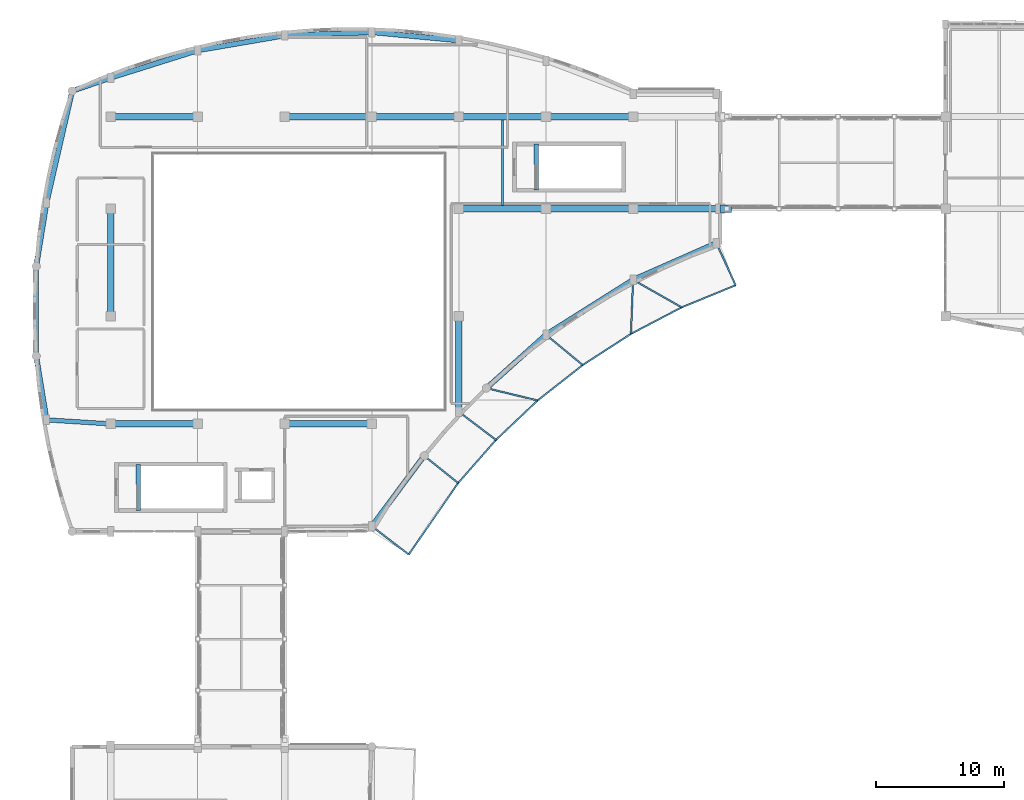
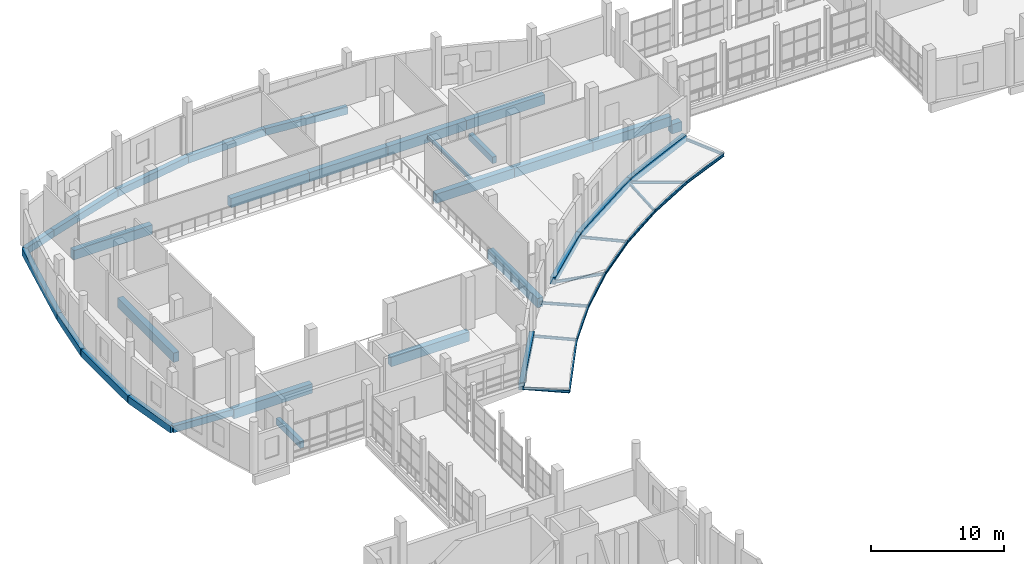
# One storey, part 28 of 106: 45 beams.
"""IFC4 building model written with IfcOpenShell, lengths in metres."""

from ifc_helpers import new_model, si_unit, direction, frame, origin, origin_2d, place, context, subcontext, project, spatial, rectangle, i_section, extrude, material, material_profile, profile_set, type_object, element, save


model = new_model("IFC4")

# Units and contexts
model_context = context("Model", 3, precision=1e-05, world=origin(), true_north=direction((0.0, 1.0)))
body_context = subcontext(model_context, "Body", "Model", "MODEL_VIEW")
ifc_project = project(units=[si_unit("LENGTHUNIT", "METRE"), si_unit("AREAUNIT", "SQUARE_METRE"), si_unit("VOLUMEUNIT", "CUBIC_METRE"), si_unit("PLANEANGLEUNIT", "RADIAN"), si_unit("MASSUNIT", "GRAM", prefix="KILO")], contexts=[model_context])

# Site, building, storey
site_placement = place(None, origin())
site = spatial("IfcSite", under=ifc_project, at=site_placement, CompositionType="ELEMENT")
building_placement = place(site_placement, origin())
building = spatial("IfcBuilding", under=site, at=building_placement, Name="Kisaragi Civic Commons", CompositionType="ELEMENT")
storey_placement = place(building_placement, frame((0.0, 0.0, 4.800048828125)))
storey = spatial("IfcBuildingStorey", under=building, at=storey_placement, Name="L01", CompositionType="ELEMENT", Elevation=4.800048828125)

# Beams
ifc_material_1 = material(Name="Concrete Fc36", Category="concrete")
ifc_material_profile_1 = material_profile(ifc_material_1, rectangle(XDim=0.550048828125, YDim=0.85009765625, at=origin_2d()), Name="RC-550x850", Category="concrete")
ifc_profile_set_1 = profile_set([ifc_material_profile_1], Name="Concrete Fc36")
beam_type_1 = type_object("IfcBeamType", Name="CB-01", PredefinedType="BEAM", material=ifc_profile_set_1)
beam_1_placement = place(storey_placement, frame((54.39990234375, 104.39990234375, -1.4951171875), z_axis=(1.0, 0.0, 0.0), x_axis=(0.0, 1.0, 0.0)))
element("IfcBeam", 1, at=beam_1_placement, inside=storey, type_object=beam_type_1, Name="BR-V4-V2 L01 seismic corbel 20", PredefinedType="BEAM", context=body_context, shape_type="SweptSolid", body=[
    extrude(rectangle(XDim=0.550048828125, YDim=0.85009765625, at=origin_2d()), origin(), (0.0, 0.0, 1.0), 0.8701171875),
])
ifc_material_2 = material(Name="Concrete Fc30", Category="concrete")
ifc_material_profile_2 = material_profile(ifc_material_2, rectangle(XDim=0.5, YDim=0.85009765625, at=origin_2d()), Name="RC-500x850", Category="concrete")
ifc_profile_set_2 = profile_set([ifc_material_profile_2], Name="Concrete Fc30")
beam_type_2 = type_object("IfcBeamType", Name="G-02", PredefinedType="BEAM", material=ifc_profile_set_2)
for number, where, z_axis, x_axis, name in (
    (2, (6.800048828125, 87.60009765625, -0.72998046875), (1.0, 0.0, 0.0), (0.0, 1.0, 0.0), "L01 girder G-02 173"),
    (3, (20.39990234375, 87.60009765625, -0.72998046875), (1.0, 0.0, 0.0), (0.0, 1.0, 0.0), "L01 girder G-02 174"),
    (4, (34.0, 104.39990234375, -0.72998046875), (1.0, 0.0, 0.0), (0.0, 1.0, 0.0), "L01 girder G-02 175"),
    (5, (40.800048828125, 104.39990234375, -0.72998046875), (1.0, 0.0, 0.0), (0.0, 1.0, 0.0), "L01 girder G-02 176"),
):
    element("IfcBeam", number, at=place(storey_placement, frame(where, z_axis=z_axis, x_axis=x_axis)), inside=storey, type_object=beam_type_2, Name=name, PredefinedType="BEAM", context=body_context, shape_type="SweptSolid", body=[
        extrude(rectangle(XDim=0.5, YDim=0.85009765625, at=origin_2d()), origin(), (0.0, 0.0, 1.0), 6.800048828125),
    ])
beam_2_placement = place(storey_placement, frame((47.60009765625, 104.39990234375, -0.72998046875), z_axis=(1.0, 0.0, 0.0), x_axis=(0.0, 1.0, 0.0)))
element("IfcBeam", 6, at=beam_2_placement, inside=storey, type_object=beam_type_2, Name="L01 girder G-02 177", PredefinedType="BEAM", context=body_context, shape_type="SweptSolid", body=[
    extrude(rectangle(XDim=0.5, YDim=0.85009765625, at=origin_2d()), origin(), (0.0, 0.0, 1.0), 6.7998046875),
])
for number, where, z_axis, x_axis, name in (
    (7, (6.800048828125, 111.60009765625, -0.72998046875), (1.0, 0.0, 0.0), (0.0, 1.0, 0.0), "L01 girder G-02 178"),
    (8, (20.39990234375, 111.60009765625, -0.72998046875), (1.0, 0.0, 0.0), (0.0, 1.0, 0.0), "L01 girder G-02 179"),
    (9, (27.199951171875, 111.60009765625, -0.72998046875), (1.0, 0.0, 0.0), (0.0, 1.0, 0.0), "L01 girder G-02 180"),
    (10, (34.0, 111.60009765625, -0.72998046875), (1.0, 0.0, 0.0), (0.0, 1.0, 0.0), "L01 girder G-02 181"),
    (11, (40.800048828125, 111.60009765625, -0.72998046875), (1.0, 0.0, 0.0), (0.0, 1.0, 0.0), "L01 girder G-02 182"),
):
    element("IfcBeam", number, at=place(storey_placement, frame(where, z_axis=z_axis, x_axis=x_axis)), inside=storey, type_object=beam_type_2, Name=name, PredefinedType="BEAM", context=body_context, shape_type="SweptSolid", body=[
        extrude(rectangle(XDim=0.5, YDim=0.85009765625, at=origin_2d()), origin(), (0.0, 0.0, 1.0), 6.800048828125),
    ])
beam_3_placement = place(storey_placement, frame((6.800048828125, 96.0, -0.72998046875), z_axis=(0.0, 1.0, 0.0), x_axis=(-1.0, 0.0, 0.0)))
element("IfcBeam", 12, at=beam_3_placement, inside=storey, type_object=beam_type_2, Name="L01 girder G-02 185", PredefinedType="BEAM", context=body_context, shape_type="SweptSolid", body=[
    extrude(rectangle(XDim=0.5, YDim=0.85009765625, at=origin_2d()), origin(), (0.0, 0.0, 1.0), 8.39990234375),
])
beam_4_placement = place(storey_placement, frame((34.0, 88.544189453125, -0.72998046875), z_axis=(0.0, 1.0, 0.0), x_axis=(-1.0, 0.0, 0.0)))
element("IfcBeam", 13, at=beam_4_placement, inside=storey, type_object=beam_type_2, Name="L01 girder G-02 186", PredefinedType="BEAM", context=body_context, shape_type="SweptSolid", body=[
    extrude(rectangle(XDim=0.5, YDim=0.85009765625, at=origin_2d()), origin(), (0.0, 0.0, 1.0), 7.455810546875),
])
ifc_material_profile_3 = material_profile(ifc_material_2, rectangle(XDim=0.35009765625, YDim=0.60009765625, at=origin_2d()), Name="RC-350x600", Category="concrete")
ifc_profile_set_3 = profile_set([ifc_material_profile_3], Name="Concrete Fc30")
beam_type_3 = type_object("IfcBeamType", Name="G-14", PredefinedType="BEAM", material=ifc_profile_set_3)
beam_5_placement = place(storey_placement, frame((1.800048828125, 87.916259765625, -0.60498046875), z_axis=(0.998006805525, -0.063106387361, 0.0), x_axis=(0.063106387361, 0.998006805525, 0.0)))
element("IfcBeam", 14, at=beam_5_placement, inside=storey, type_object=beam_type_3, Name="L01 curved wall tie beam 195", PredefinedType="BEAM", context=body_context, shape_type="SweptSolid", body=[
    extrude(rectangle(XDim=0.35009765625, YDim=0.60009765625, at=origin_2d()), origin(), (0.0, 0.0, 1.0), 5.010009765625),
])
for number, where, z_axis, x_axis, name in (
    (15, (8.949951171875, 80.85009765625, -0.300048828125), (0.0, 1.0, 0.0), (-1.0, 0.0, 0.0), "ST-S1 L01 stair landing trimmer beam"),
    (16, (40.050048828125, 105.85009765625, -0.300048828125), (0.0, 1.0, 0.0), (-1.0, 0.0, 0.0), "ST-S2 L01 stair landing trimmer beam"),
):
    element("IfcBeam", number, at=place(storey_placement, frame(where, z_axis=z_axis, x_axis=x_axis)), inside=storey, type_object=beam_type_3, Name=name, PredefinedType="BEAM", context=body_context, shape_type="SweptSolid", body=[
        extrude(rectangle(XDim=0.35009765625, YDim=0.60009765625, at=origin_2d()), origin(), (0.0, 0.0, 1.0), 3.599853515625),
    ])
ifc_material_3 = material(Name="Steel SN400 (SN400B)", Category="steel")
ifc_material_profile_4 = material_profile(ifc_material_3, i_section(OverallWidth=0.175048828125, OverallDepth=0.35009765625, WebThickness=0.007080078125, FlangeThickness=0.010986328125, FilletRadius=0.012939453125, at=origin_2d()), Name="H-350x175x7x11", Category="steel")
ifc_profile_set_4 = profile_set([ifc_material_profile_4], Name="Steel SN400 (SN400B)")
beam_type_4 = type_object("IfcBeamType", Name="J-02", PredefinedType="JOIST", material=ifc_profile_set_4)
beam_6_placement = place(storey_placement, frame((37.39990234375, 104.64990234375, -0.47998046875), z_axis=(0.0, 1.0, 0.0), x_axis=(-1.0, 0.0, 0.0)))
element("IfcBeam", 17, at=beam_6_placement, inside=storey, type_object=beam_type_4, Name="L01 secondary steel joist J-02 41", PredefinedType="JOIST", context=body_context, shape_type="SweptSolid", body=[
    extrude(i_section(OverallWidth=0.175048828125, OverallDepth=0.35009765625, WebThickness=0.007080078125, FlangeThickness=0.010986328125, FilletRadius=0.012939453125, at=origin_2d()), origin(), (0.0, 0.0, 1.0), 6.7001953125),
])
ifc_material_profile_5 = material_profile(ifc_material_3, i_section(OverallWidth=0.125, OverallDepth=0.25, WebThickness=0.006103515625, FlangeThickness=0.009033203125, FilletRadius=0.008056640625, at=origin_2d()), Name="H-250x125x6x9", Category="steel")
ifc_profile_set_5 = profile_set([ifc_material_profile_5], Name="Steel SN400 (SN400B)")
beam_type_5 = type_object("IfcBeamType", Name="J-05", PredefinedType="JOIST", material=ifc_profile_set_5)
beam_7_placement = place(storey_placement, frame((55.617919921875, 98.425537109375, -0.75), z_axis=(-0.925377864277, -0.379045918465, 0.0), x_axis=(0.379045918465, -0.925377864277, 0.0)))
element("IfcBeam", 18, at=beam_7_placement, inside=storey, type_object=beam_type_5, Name="VER-V2 L01 edge beam 62", PredefinedType="JOIST", context=body_context, shape_type="SweptSolid", body=[
    extrude(i_section(OverallWidth=0.125, OverallDepth=0.25, WebThickness=0.006103515625, FlangeThickness=0.009033203125, FilletRadius=0.008056640625, at=origin_2d()), origin(), (0.0, 0.0, 1.0), 4.556396484375),
])
beam_8_placement = place(storey_placement, frame((51.401611328125, 96.698486328125, -0.75), z_axis=(-0.886292072289, -0.463126724125, 0.0), x_axis=(0.463126724125, -0.886292072289, 0.0)))
element("IfcBeam", 19, at=beam_8_placement, inside=storey, type_object=beam_type_5, Name="VER-V2 L01 edge beam 63", PredefinedType="JOIST", context=body_context, shape_type="SweptSolid", body=[
    extrude(i_section(OverallWidth=0.125, OverallDepth=0.25, WebThickness=0.006103515625, FlangeThickness=0.009033203125, FilletRadius=0.008056640625, at=origin_2d()), origin(), (0.0, 0.0, 1.0), 4.478271484375),
])
for number, where, z_axis, x_axis, name in (
    (20, (47.4326171875, 94.62451171875, -0.75), (-0.83990787483, -0.542728994803, 0.0), (0.542728994803, -0.83990787483, 0.0), "VER-V2 L01 edge beam 64"),
    (21, (43.67138671875, 92.194091796875, -0.75), (-0.786375089797, -0.61774931659, 0.0), (0.61774931659, -0.786375089797, 0.0), "VER-V2 L01 edge beam 65"),
):
    element("IfcBeam", number, at=place(storey_placement, frame(where, z_axis=z_axis, x_axis=x_axis)), inside=storey, type_object=beam_type_5, Name=name, PredefinedType="JOIST", context=body_context, shape_type="SweptSolid", body=[
        extrude(i_section(OverallWidth=0.125, OverallDepth=0.25, WebThickness=0.006103515625, FlangeThickness=0.009033203125, FilletRadius=0.008056640625, at=origin_2d()), origin(), (0.0, 0.0, 1.0), 4.47802734375),
    ])
beam_9_placement = place(storey_placement, frame((40.14990234375, 89.427734375, -0.75), z_axis=(-0.726170414707, -0.687514748063, 0.0), x_axis=(0.687514748063, -0.726170414707, 0.0)))
element("IfcBeam", 22, at=beam_9_placement, inside=storey, type_object=beam_type_5, Name="VER-V2 L01 edge beam 66", PredefinedType="JOIST", context=body_context, shape_type="SweptSolid", body=[
    extrude(i_section(OverallWidth=0.125, OverallDepth=0.25, WebThickness=0.006103515625, FlangeThickness=0.009033203125, FilletRadius=0.008056640625, at=origin_2d()), origin(), (0.0, 0.0, 1.0), 4.477783203125),
])
beam_10_placement = place(storey_placement, frame((36.898193359375, 86.34912109375, -0.75), z_axis=(-0.659769637877, -0.751467913444, 0.0), x_axis=(0.751467913444, -0.659769637877, 0.0)))
element("IfcBeam", 23, at=beam_10_placement, inside=storey, type_object=beam_type_5, Name="VER-V2 L01 edge beam 67", PredefinedType="JOIST", context=body_context, shape_type="SweptSolid", body=[
    extrude(i_section(OverallWidth=0.125, OverallDepth=0.25, WebThickness=0.006103515625, FlangeThickness=0.009033203125, FilletRadius=0.008056640625, at=origin_2d()), origin(), (0.0, 0.0, 1.0), 4.478271484375),
])
beam_11_placement = place(storey_placement, frame((33.943603515625, 82.98388671875, -0.75), z_axis=(-0.56851635681, -0.822671958948, 0.0), x_axis=(0.822671958948, -0.56851635681, 0.0)))
element("IfcBeam", 24, at=beam_11_placement, inside=storey, type_object=beam_type_5, Name="VER-V2 L01 edge beam 68", PredefinedType="JOIST", context=body_context, shape_type="SweptSolid", body=[
    extrude(i_section(OverallWidth=0.125, OverallDepth=0.25, WebThickness=0.006103515625, FlangeThickness=0.009033203125, FilletRadius=0.008056640625, at=origin_2d()), origin(), (0.0, 0.0, 1.0), 6.79248046875),
])
beam_12_placement = place(storey_placement, frame((55.617919921875, 98.425537109375, -0.75), z_axis=(-0.418396568397, 0.908264450231, 0.0), x_axis=(-0.908264450231, -0.418396568397, 0.0)))
element("IfcBeam", 25, at=beam_12_placement, inside=storey, type_object=beam_type_5, Name="VER-V2 L01 radial tie 69", PredefinedType="JOIST", context=body_context, shape_type="SweptSolid", body=[
    extrude(i_section(OverallWidth=0.125, OverallDepth=0.25, WebThickness=0.006103515625, FlangeThickness=0.009033203125, FilletRadius=0.008056640625, at=origin_2d()), origin(), (0.0, 0.0, 1.0), 3.627685546875),
])
beam_13_placement = place(storey_placement, frame((51.401611328125, 96.698486328125, -0.75), z_axis=(-0.870155587198, 0.492777083547, 0.0), x_axis=(-0.492777083547, -0.870155587198, 0.0)))
element("IfcBeam", 26, at=beam_13_placement, inside=storey, type_object=beam_type_5, Name="VER-V2 L01 radial tie 70", PredefinedType="JOIST", context=body_context, shape_type="SweptSolid", body=[
    extrude(i_section(OverallWidth=0.125, OverallDepth=0.25, WebThickness=0.006103515625, FlangeThickness=0.009033203125, FilletRadius=0.008056640625, at=origin_2d()), origin(), (0.0, 0.0, 1.0), 4.368896484375),
])
beam_14_placement = place(storey_placement, frame((47.4326171875, 94.62451171875, -0.75), z_axis=(0.039592336303, 0.999215916059, 0.0), x_axis=(-0.999215916059, 0.039592336303, 0.0)))
element("IfcBeam", 27, at=beam_14_placement, inside=storey, type_object=beam_type_5, Name="VER-V2 L01 radial tie 71", PredefinedType="JOIST", context=body_context, shape_type="SweptSolid", body=[
    extrude(i_section(OverallWidth=0.125, OverallDepth=0.25, WebThickness=0.006103515625, FlangeThickness=0.009033203125, FilletRadius=0.008056640625, at=origin_2d()), origin(), (0.0, 0.0, 1.0), 4.230224609375),
])
beam_15_placement = place(storey_placement, frame((43.67138671875, 92.194091796875, -0.75), z_axis=(-0.771077909259, 0.636740809006, 0.0), x_axis=(-0.636740809006, -0.771077909259, 0.0)))
element("IfcBeam", 28, at=beam_15_placement, inside=storey, type_object=beam_type_5, Name="VER-V2 L01 radial tie 72", PredefinedType="JOIST", context=body_context, shape_type="SweptSolid", body=[
    extrude(i_section(OverallWidth=0.125, OverallDepth=0.25, WebThickness=0.006103515625, FlangeThickness=0.009033203125, FilletRadius=0.008056640625, at=origin_2d()), origin(), (0.0, 0.0, 1.0), 3.723876953125),
])
beam_16_placement = place(storey_placement, frame((40.14990234375, 89.427734375, -0.75), z_axis=(-0.971981302183, 0.235058180472, 0.0), x_axis=(-0.235058180472, -0.971981302183, 0.0)))
element("IfcBeam", 29, at=beam_16_placement, inside=storey, type_object=beam_type_5, Name="VER-V2 L01 radial tie 73", PredefinedType="JOIST", context=body_context, shape_type="SweptSolid", body=[
    extrude(i_section(OverallWidth=0.125, OverallDepth=0.25, WebThickness=0.006103515625, FlangeThickness=0.009033203125, FilletRadius=0.008056640625, at=origin_2d()), origin(), (0.0, 0.0, 1.0), 4.114013671875),
])
beam_17_placement = place(storey_placement, frame((36.898193359375, 86.34912109375, -0.75), z_axis=(-0.797162664184, 0.603764595542, 0.0), x_axis=(-0.603764595542, -0.797162664184, 0.0)))
element("IfcBeam", 30, at=beam_17_placement, inside=storey, type_object=beam_type_5, Name="VER-V2 L01 radial tie 74", PredefinedType="JOIST", context=body_context, shape_type="SweptSolid", body=[
    extrude(i_section(OverallWidth=0.125, OverallDepth=0.25, WebThickness=0.006103515625, FlangeThickness=0.009033203125, FilletRadius=0.008056640625, at=origin_2d()), origin(), (0.0, 0.0, 1.0), 3.6357421875),
])
beam_18_placement = place(storey_placement, frame((33.943603515625, 82.98388671875, -0.75), z_axis=(-0.780994885585, 0.624537419768, 0.0), x_axis=(-0.624537419768, -0.780994885585, 0.0)))
element("IfcBeam", 31, at=beam_18_placement, inside=storey, type_object=beam_type_5, Name="VER-V2 L01 radial tie 75", PredefinedType="JOIST", context=body_context, shape_type="SweptSolid", body=[
    extrude(i_section(OverallWidth=0.125, OverallDepth=0.25, WebThickness=0.006103515625, FlangeThickness=0.009033203125, FilletRadius=0.008056640625, at=origin_2d()), origin(), (0.0, 0.0, 1.0), 3.400146484375),
])
beam_19_placement = place(storey_placement, frame((30.08203125, 77.39599609375, -0.75), z_axis=(-0.792421819089, 0.609973491746, 0.0), x_axis=(-0.609973491746, -0.792421819089, 0.0)))
element("IfcBeam", 32, at=beam_19_placement, inside=storey, type_object=beam_type_5, Name="VER-V2 L01 radial tie 76", PredefinedType="JOIST", context=body_context, shape_type="SweptSolid", body=[
    extrude(i_section(OverallWidth=0.125, OverallDepth=0.25, WebThickness=0.006103515625, FlangeThickness=0.009033203125, FilletRadius=0.008056640625, at=origin_2d()), origin(), (0.0, 0.0, 1.0), 3.636962890625),
])
ifc_material_profile_6 = material_profile(ifc_material_2, rectangle(XDim=0.39990234375, YDim=0.64990234375, at=origin_2d()), Name="RC-400x650", Category="concrete")
ifc_profile_set_6 = profile_set([ifc_material_profile_6], Name="Concrete Fc30")
beam_type_6 = type_object("IfcBeamType", Name="SPB-02", PredefinedType="SPANDREL", material=ifc_profile_set_6)
beam_20_placement = place(storey_placement, frame((54.10009765625, 101.720458984375, -0.630126953125), z_axis=(-0.914840154072, -0.403816161758, 0.0), x_axis=(0.403816161758, -0.914840154072, 0.0)))
element("IfcBeam", 33, at=beam_20_placement, inside=storey, type_object=beam_type_6, Name="L01 curved spandrel/ring girder SPB-02 187", PredefinedType="SPANDREL", context=body_context, shape_type="SweptSolid", body=[
    extrude(rectangle(XDim=0.39990234375, YDim=0.64990234375, at=origin_2d()), origin(), (0.0, 0.0, 1.0), 7.10498046875),
])
beam_21_placement = place(storey_placement, frame((47.60009765625, 98.851318359375, -0.630126953125), z_axis=(-0.845973556766, -0.533224850558, 0.0), x_axis=(0.533224850558, -0.845973556766, 0.0)))
element("IfcBeam", 34, at=beam_21_placement, inside=storey, type_object=beam_type_6, Name="L01 curved spandrel/ring girder SPB-02 188", PredefinedType="SPANDREL", context=body_context, shape_type="SweptSolid", body=[
    extrude(rectangle(XDim=0.39990234375, YDim=0.64990234375, at=origin_2d()), origin(), (0.0, 0.0, 1.0), 8.0380859375),
])
beam_22_placement = place(storey_placement, frame((40.800048828125, 94.565185546875, -0.630126953125), z_axis=(-0.744377792702, -0.667758715205, 0.0), x_axis=(0.667758715205, -0.744377792702, 0.0)))
element("IfcBeam", 35, at=beam_22_placement, inside=storey, type_object=beam_type_6, Name="L01 curved spandrel/ring girder SPB-02 189", PredefinedType="SPANDREL", context=body_context, shape_type="SweptSolid", body=[
    extrude(rectangle(XDim=0.39990234375, YDim=0.64990234375, at=origin_2d()), origin(), (0.0, 0.0, 1.0), 6.245361328125),
])
beam_23_placement = place(storey_placement, frame((31.2880859375, 85.107421875, -0.630126953125), z_axis=(-0.597046523223, -0.802206612481, 0.0), x_axis=(0.802206612481, -0.597046523223, 0.0)))
element("IfcBeam", 36, at=beam_23_placement, inside=storey, type_object=beam_type_6, Name="L01 curved spandrel/ring girder SPB-02 190", PredefinedType="SPANDREL", context=body_context, shape_type="SweptSolid", body=[
    extrude(rectangle(XDim=0.39990234375, YDim=0.64990234375, at=origin_2d()), origin(), (0.0, 0.0, 1.0), 6.84716796875),
])
beam_24_placement = place(storey_placement, frame((3.800048828125, 113.60009765625, -0.630126953125), z_axis=(-0.223643093075, -0.974671107051, 0.0), x_axis=(0.974671107051, -0.223643093075, 0.0)))
element("IfcBeam", 37, at=beam_24_placement, inside=storey, type_object=beam_type_6, Name="L01 curved spandrel/ring girder SPB-02 191", PredefinedType="SPANDREL", context=body_context, shape_type="SweptSolid", body=[
    extrude(rectangle(XDim=0.39990234375, YDim=0.64990234375, at=origin_2d()), origin(), (0.0, 0.0, 1.0), 8.94287109375),
])
beam_25_placement = place(storey_placement, frame((1.800048828125, 104.8837890625, -0.630126953125), z_axis=(-0.160301786895, -0.987068050906, 0.0), x_axis=(0.987068050906, -0.160301786895, 0.0)))
element("IfcBeam", 38, at=beam_25_placement, inside=storey, type_object=beam_type_6, Name="L01 curved spandrel/ring girder SPB-02 192", PredefinedType="SPANDREL", context=body_context, shape_type="SweptSolid", body=[
    extrude(rectangle(XDim=0.39990234375, YDim=0.64990234375, at=origin_2d()), origin(), (0.0, 0.0, 1.0), 5.045654296875),
])
beam_26_placement = place(storey_placement, frame((0.9912109375, 99.9033203125, -0.630126953125), z_axis=(0.0, -1.0, 0.0), x_axis=(1.0, 0.0, 0.0)))
element("IfcBeam", 39, at=beam_26_placement, inside=storey, type_object=beam_type_6, Name="L01 curved spandrel/ring girder SPB-02 193", PredefinedType="SPANDREL", context=body_context, shape_type="SweptSolid", body=[
    extrude(rectangle(XDim=0.39990234375, YDim=0.64990234375, at=origin_2d()), origin(), (0.0, 0.0, 1.0), 7.0068359375),
])
beam_27_placement = place(storey_placement, frame((0.9912109375, 92.896484375, -0.630126953125), z_axis=(0.160309443264, -0.987066807466, 0.0), x_axis=(0.987066807466, 0.160309443264, 0.0)))
element("IfcBeam", 40, at=beam_27_placement, inside=storey, type_object=beam_type_6, Name="L01 curved spandrel/ring girder SPB-02 194", PredefinedType="SPANDREL", context=body_context, shape_type="SweptSolid", body=[
    extrude(rectangle(XDim=0.39990234375, YDim=0.64990234375, at=origin_2d()), origin(), (0.0, 0.0, 1.0), 5.04541015625),
])
beam_28_placement = place(storey_placement, frame((34.0, 117.5458984375, -0.630126953125), z_axis=(-0.995564923416, 0.094077007088, 0.0), x_axis=(-0.094077007088, -0.995564923416, 0.0)))
element("IfcBeam", 41, at=beam_28_placement, inside=storey, type_object=beam_type_6, Name="L01 curved spandrel/ring girder SPB-02 198", PredefinedType="SPANDREL", context=body_context, shape_type="SweptSolid", body=[
    extrude(rectangle(XDim=0.39990234375, YDim=0.64990234375, at=origin_2d()), origin(), (0.0, 0.0, 1.0), 6.830322265625),
])
beam_29_placement = place(storey_placement, frame((27.199951171875, 118.1884765625, -0.630126953125), z_axis=(-0.99930095375, -0.037384540043, 0.0), x_axis=(0.037384540043, -0.99930095375, 0.0)))
element("IfcBeam", 42, at=beam_29_placement, inside=storey, type_object=beam_type_6, Name="L01 curved spandrel/ring girder SPB-02 199", PredefinedType="SPANDREL", context=body_context, shape_type="SweptSolid", body=[
    extrude(rectangle(XDim=0.39990234375, YDim=0.64990234375, at=origin_2d()), origin(), (0.0, 0.0, 1.0), 6.8046875),
])
beam_30_placement = place(storey_placement, frame((20.39990234375, 117.93408203125, -0.630126953125), z_axis=(-0.985667179406, -0.168701545463, 0.0), x_axis=(0.168701545463, -0.985667179406, 0.0)))
element("IfcBeam", 43, at=beam_30_placement, inside=storey, type_object=beam_type_6, Name="L01 curved spandrel/ring girder SPB-02 200", PredefinedType="SPANDREL", context=body_context, shape_type="SweptSolid", body=[
    extrude(rectangle(XDim=0.39990234375, YDim=0.64990234375, at=origin_2d()), origin(), (0.0, 0.0, 1.0), 6.898681640625),
])
beam_31_placement = place(storey_placement, frame((13.60009765625, 116.770263671875, -0.630126953125), z_axis=(-0.953913354752, -0.300082174787, 0.0), x_axis=(0.300082174787, -0.953913354752, 0.0)))
element("IfcBeam", 44, at=beam_31_placement, inside=storey, type_object=beam_type_6, Name="L01 curved spandrel/ring girder SPB-02 201", PredefinedType="SPANDREL", context=body_context, shape_type="SweptSolid", body=[
    extrude(rectangle(XDim=0.39990234375, YDim=0.64990234375, at=origin_2d()), origin(), (0.0, 0.0, 1.0), 7.128662109375),
])
beam_32_placement = place(storey_placement, frame((6.800048828125, 114.631103515625, -0.630126953125), z_axis=(-0.945710256764, -0.325010938665, 0.0), x_axis=(0.325010938665, -0.945710256764, 0.0)))
element("IfcBeam", 45, at=beam_32_placement, inside=storey, type_object=beam_type_6, Name="L01 curved spandrel/ring girder SPB-02 202", PredefinedType="SPANDREL", context=body_context, shape_type="SweptSolid", body=[
    extrude(rectangle(XDim=0.39990234375, YDim=0.64990234375, at=origin_2d()), origin(), (0.0, 0.0, 1.0), 3.172119140625),
])

save(model, "model.ifc")
